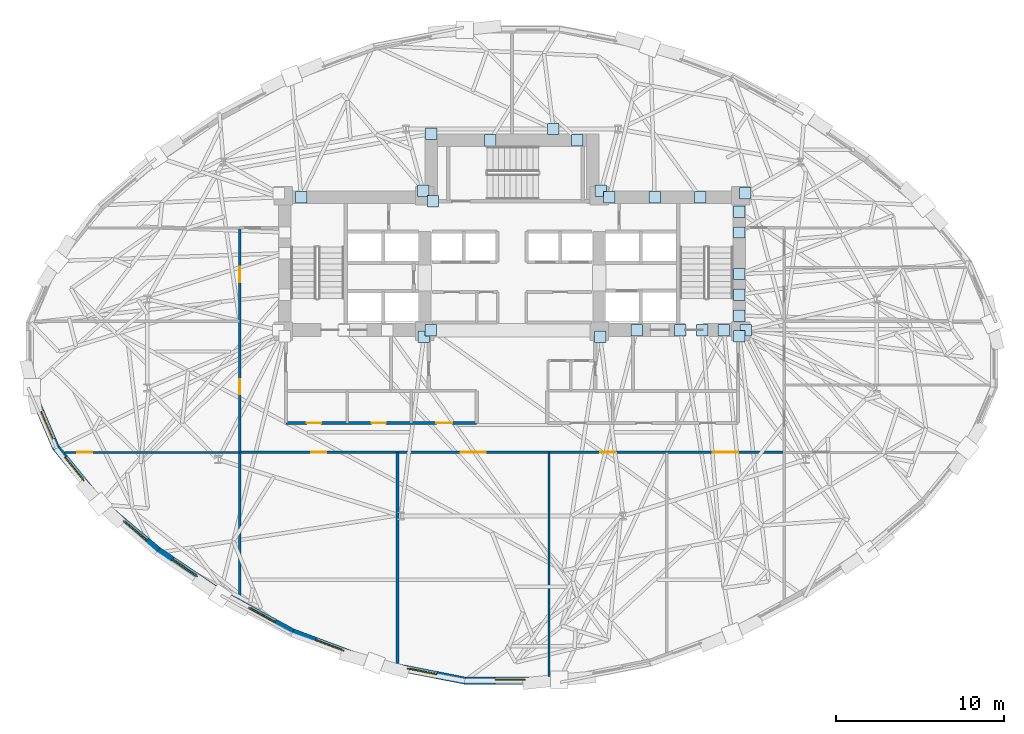
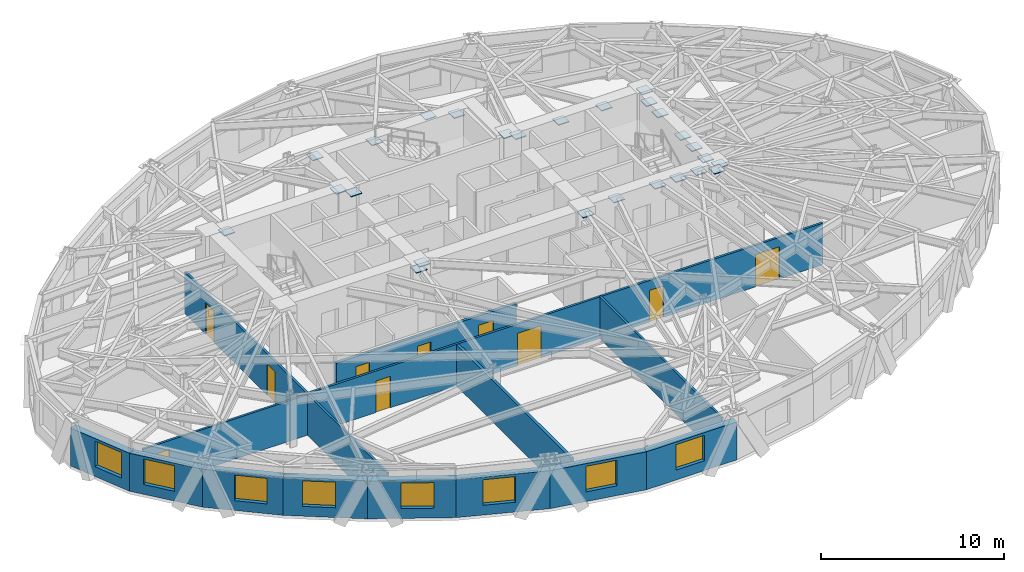
# One storey, part 6 of 14: 26 plates, 14 walls, 10 doors, 8 windows, 18 openings.
"""IFC4 building model written with IfcOpenShell, lengths in metres."""

from ifc_helpers import new_model, si_unit, direction, frame, frame_2d, origin, origin_2d, place, context, subcontext, project, spatial, rectangle, extrude, material, layer, layer_set, type_object, element, fill, save


model = new_model("IFC4")

# Units and contexts
model_context = context("Model", 3, precision=1e-05, world=origin(), true_north=direction((0.0, 1.0)))
body_context = subcontext(model_context, "Body", "Model", "MODEL_VIEW")
ifc_project = project(units=[si_unit("LENGTHUNIT", "METRE"), si_unit("AREAUNIT", "SQUARE_METRE"), si_unit("VOLUMEUNIT", "CUBIC_METRE"), si_unit("PLANEANGLEUNIT", "RADIAN"), si_unit("MASSUNIT", "GRAM", prefix="KILO")], contexts=[model_context])

# Site, building, storey
site_placement = place(None, origin())
site = spatial("IfcSite", under=ifc_project, at=site_placement, CompositionType="ELEMENT")
building_placement = place(site_placement, origin())
building = spatial("IfcBuilding", under=site, at=building_placement, Name="Keldmark Tower", CompositionType="ELEMENT")
storey_placement = place(building_placement, frame((0.0, 0.0, 89.60009765625)))
storey = spatial("IfcBuildingStorey", under=building, at=storey_placement, Name="L23", CompositionType="ELEMENT", Elevation=89.60009765625)

# Plates
ifc_material_1 = material(Name="Steel ASTM A572 Grade 50", Category="steel")
ifc_layer_1 = layer(ifc_material_1, 0.06005859375)
ifc_layer_set_1 = layer_set([ifc_layer_1], Name="Steel ASTM A572 Grade 50")
plate_type = type_object("IfcPlateType", Name="Belt Truss Kink Node Assembly KN01 60 mm", PredefinedType="USERDEFINED", material=ifc_layer_set_1)
for number, where, z_axis, x_axis, name in (
    (1, (13.91162109375, 1.473388671875, 3.0078125), (0.0, 0.0, 1.0), (1.0, 0.0, 0.0), "L23 Core Wall Cast-In Embed Plate 619"),
    (2, (13.878173828125, 9.608154296875, 3.0078125), (0.0, 0.0, 1.0), (1.0, 0.0, 0.0), "L23 Core Wall Cast-In Embed Plate 620"),
    (3, (5.28515625, 9.758544921875, 3.0078125), (0.0, 0.0, 1.0), (1.0, 0.0, 0.0), "L23 Core Wall Cast-In Embed Plate 621"),
    (4, (-5.28515625, 9.758544921875, 3.0078125), (0.0, 0.0, 1.0), (1.0, 0.0, 0.0), "L23 Core Wall Cast-In Embed Plate 622"),
    (5, (-5.24072265625, 1.08251953125, 3.0078125), (0.0, 0.0, 1.0), (1.0, 0.0, 0.0), "L23 Core Wall Cast-In Embed Plate 625"),
    (6, (5.24072265625, 1.08251953125, 3.0078125), (0.0, 0.0, 1.0), (1.0, 0.0, 0.0), "L23 Core Wall Cast-In Embed Plate 626"),
    (7, (-4.699951171875, 9.139892578125, 3.01416015625), (0.0, 0.0, 1.0), (1.0, 0.0, 0.0), "L23 Core Wall Cast-In Embed Plate 627"),
    (8, (-4.800048828125, 13.14990234375, 3.01416015625), (0.0, 0.0, 1.0), (1.0, 0.0, 0.0), "L23 Core Wall Cast-In Embed Plate 628"),
    (9, (13.52490234375, 4.80712890625, 3.01416015625), (0.0, 0.0, 1.0), (1.0, 0.0, 0.0), "L23 Core Wall Cast-In Embed Plate 629"),
    (10, (12.603515625, 1.47509765625, 3.01416015625), (0.0, 0.0, 1.0), (1.0, 0.0, 0.0), "L23 Core Wall Cast-In Embed Plate 631"),
    (11, (13.52490234375, 3.5712890625, 3.01416015625), (0.0, 0.0, 1.0), (1.0, 0.0, 0.0), "L23 Core Wall Cast-In Embed Plate 632"),
    (12, (13.52490234375, 7.278564453125, 3.01416015625), (0.0, 0.0, 1.0), (1.0, 0.0, 0.0), "L23 Core Wall Cast-In Embed Plate 633"),
    (13, (5.778564453125, 9.375, 3.01416015625), (0.0, 0.0, 1.0), (1.0, 0.0, 0.0), "L23 Core Wall Cast-In Embed Plate 634"),
    (14, (8.485595703125, 9.375, 3.01416015625), (0.0, 0.0, 1.0), (1.0, 0.0, 0.0), "L23 Core Wall Cast-In Embed Plate 635"),
    (15, (11.19287109375, 9.375, 3.01416015625), (0.0, 0.0, 1.0), (1.0, 0.0, 0.0), "L23 Core Wall Cast-In Embed Plate 636"),
    (16, (-12.54638671875, 9.375, 3.01416015625), (0.0, 0.0, 1.0), (1.0, 0.0, 0.0), "L23 Core Wall Cast-In Embed Plate 637"),
    (17, (7.41796875, 1.47509765625, 3.01416015625), (0.0, 0.0, 1.0), (1.0, 0.0, 0.0), "L23 Core Wall Cast-In Embed Plate 640"),
    (18, (11.30712890625, 1.47509765625, 3.01416015625), (0.0, 0.0, 1.0), (1.0, 0.0, 0.0), "L23 Core Wall Cast-In Embed Plate 642"),
    (19, (10.0107421875, 1.47509765625, 3.01416015625), (0.0, 0.0, 1.0), (1.0, 0.0, 0.0), "L23 Core Wall Cast-In Embed Plate 643"),
    (20, (13.52490234375, 1.10009765625, 3.01416015625), (0.0, 0.0, 1.0), (1.0, 0.0, 0.0), "L23 Core Wall Cast-In Embed Plate 644"),
    (21, (-4.824951171875, 1.47509765625, 3.01416015625), (0.0, 0.0, 1.0), (1.0, 0.0, 0.0), "L23 Core Wall Cast-In Embed Plate 645"),
    (22, (13.52490234375, 8.514404296875, 3.01416015625), (0.0, 0.0, 1.0), (1.0, 0.0, 0.0), "L23 Core Wall Cast-In Embed Plate 646"),
    (23, (13.52490234375, 2.335693359375, 3.01416015625), (0.0, 0.0, 1.0), (1.0, 0.0, 0.0), "L23 Core Wall Cast-In Embed Plate 647"),
    (24, (2.46337890625, 13.4326171875, 3.01416015625), (0.0, 0.0, 1.0), (1.0, 0.0, 0.0), "L23 Core Wall Cast-In Embed Plate 648"),
    (25, (-1.293701171875, 12.77490234375, 3.01416015625), (0.0, 0.0, 1.0), (1.0, 0.0, 0.0), "L23 Core Wall Cast-In Embed Plate 649"),
    (26, (3.88134765625, 12.77490234375, 3.01416015625), (0.0, 0.0, 1.0), (1.0, 0.0, 0.0), "L23 Core Wall Cast-In Embed Plate 650"),
):
    element("IfcPlate", number, at=place(storey_placement, frame(where, z_axis=z_axis, x_axis=x_axis)), inside=storey, type_object=plate_type, Name=name, ObjectType="CAP PLATE", PredefinedType="USERDEFINED", context=body_context, shape_type="SweptSolid", body=[
        extrude(rectangle(XDim=0.679931640625, YDim=0.679931640625, at=origin_2d()), origin(), (0.0, 0.0, 1.0), 0.054931640625),
    ])

# Wall, openings, doors
ifc_material_2 = material(Name="Acoustic Double-Layer Gypsum Corridor Partition", Category="gypsum")
ifc_layer_2 = layer(ifc_material_2, 0.139892578125)
ifc_layer_set_2 = layer_set([ifc_layer_2], Name="Acoustic Double-Layer Gypsum Corridor Partition")
wall_type_1 = type_object("IfcWallType", Name="Acoustic Corridor Partition 140 mm", PredefinedType="PARTITIONING", material=ifc_layer_set_2)
wall_1_placement = place(storey_placement, frame((-16.199951171875, -5.800048828125, 0.0), z_axis=(0.0, 0.0, 1.0), x_axis=(1.0, 0.0, 0.0)))
wall_1 = element("IfcWall", 27, at=wall_1_placement, inside=storey, type_object=wall_type_1, Name="L23 Acoustic Corridor Partition 140 mm COR-S", PredefinedType="PARTITIONING", context=body_context, shape_type="SweptSolid", body=[
    extrude(rectangle(XDim=32.39990234375, YDim=0.139892578125, at=frame_2d((16.199951171875, 0.0))), origin(), (0.0, 0.0, 1.0), 2.762939453125),
])
opening_1_placement = place(wall_1_placement, frame((4.25, 0.0, 0.0)))
opening_1 = element("IfcOpeningElement", 28, at=opening_1_placement, cuts=wall_1, Name="Opening D-IN090", PredefinedType="OPENING", context=body_context, shape_type="SweptSolid", body=[
    extrude(rectangle(XDim=0.89990234375, YDim=2.10009765625, at=frame_2d((0.449951171875, 1.050048828125))), frame((0.0, 0.079833984375, 0.0), z_axis=(0.0, -1.0, 0.0), x_axis=(1.0, 0.0, 0.0)), (0.0, 0.0, 1.0), 0.159912109375),
])
opening_2_placement = place(wall_1_placement, frame((13.14990234375, 0.0, 0.0)))
opening_2 = element("IfcOpeningElement", 29, at=opening_2_placement, cuts=wall_1, Name="Opening D-CF150", PredefinedType="OPENING", context=body_context, shape_type="SweptSolid", body=[
    extrude(rectangle(XDim=1.5, YDim=2.14990234375, at=frame_2d((0.75, 1.074951171875))), frame((0.0, 0.079833984375, 0.0), z_axis=(0.0, -1.0, 0.0), x_axis=(1.0, 0.0, 0.0)), (0.0, 0.0, 1.0), 0.159912109375),
])
opening_3_placement = place(wall_1_placement, frame((21.449951171875, 0.0, 0.0)))
opening_3 = element("IfcOpeningElement", 30, at=opening_3_placement, cuts=wall_1, Name="Opening D-IN090", PredefinedType="OPENING", context=body_context, shape_type="SweptSolid", body=[
    extrude(rectangle(XDim=0.89990234375, YDim=2.10009765625, at=frame_2d((0.449951171875, 1.050048828125))), frame((0.0, 0.079833984375, 0.0), z_axis=(0.0, -1.0, 0.0), x_axis=(1.0, 0.0, 0.0)), (0.0, 0.0, 1.0), 0.159912109375),
])
opening_4_placement = place(wall_1_placement, frame((28.14990234375, 0.0, 0.0)))
opening_4 = element("IfcOpeningElement", 31, at=opening_4_placement, cuts=wall_1, Name="Opening D-CF150", PredefinedType="OPENING", context=body_context, shape_type="SweptSolid", body=[
    extrude(rectangle(XDim=1.5, YDim=2.14990234375, at=frame_2d((0.75, 1.074951171875))), frame((0.0, 0.079833984375, 0.0), z_axis=(0.0, -1.0, 0.0), x_axis=(1.0, 0.0, 0.0)), (0.0, 0.0, 1.0), 0.159912109375),
])
ifc_material_3 = material(Name="Acoustic Timber and Tempered Glass Double Door", Category="wood")
door_type_1 = type_object("IfcDoorType", Name="Conference Double Door 1500x2150", OperationType="DOUBLE_DOOR_SINGLE_SWING", PredefinedType="DOOR", material=ifc_material_3)
door_1_placement = place(opening_2_placement, origin())
door_1 = element("IfcDoor", 32, at=door_1_placement, inside=storey, type_object=door_type_1, Name="L23 Conference Double Door 1500x2150 D-SR-2-L23", OperationType="DOUBLE_DOOR_SINGLE_SWING", OverallHeight=2.14990234375, OverallWidth=1.5, PredefinedType="DOOR", context=body_context, shape_type="SweptSolid", body=[
    extrude(rectangle(XDim=1.5, YDim=2.14990234375, at=frame_2d((0.75, 1.074951171875))), frame((0.0, 0.02490234375, 0.0), z_axis=(0.0, -1.0, 0.0), x_axis=(1.0, 0.0, 0.0)), (0.0, 0.0, 1.0), 0.050048828125),
])
fill(opening_2, door_1)
door_2_placement = place(opening_4_placement, origin())
door_2 = element("IfcDoor", 33, at=door_2_placement, inside=storey, type_object=door_type_1, Name="L23 Conference Double Door 1500x2150 D-SR-4-L23", OperationType="DOUBLE_DOOR_SINGLE_SWING", OverallHeight=2.14990234375, OverallWidth=1.5, PredefinedType="DOOR", context=body_context, shape_type="SweptSolid", body=[
    extrude(rectangle(XDim=1.5, YDim=2.14990234375, at=frame_2d((0.75, 1.074951171875))), frame((0.0, 0.02490234375, 0.0), z_axis=(0.0, -1.0, 0.0), x_axis=(1.0, 0.0, 0.0)), (0.0, 0.0, 1.0), 0.050048828125),
])
fill(opening_4, door_2)
ifc_material_4 = material(Name="Stained American White Oak Veneer", Category="wood")
door_type_2 = type_object("IfcDoorType", Name="Interior Door 900x2100", OperationType="NOTDEFINED", PredefinedType="DOOR", material=ifc_material_4)
door_3_placement = place(opening_1_placement, origin())
door_3 = element("IfcDoor", 34, at=door_3_placement, inside=storey, type_object=door_type_2, Name="L23 Interior Door 900x2100 D-SR-1-L23", OperationType="SINGLE_SWING_LEFT", OverallHeight=2.10009765625, OverallWidth=0.89990234375, PredefinedType="DOOR", context=body_context, shape_type="SweptSolid", body=[
    extrude(rectangle(XDim=0.89990234375, YDim=2.10009765625, at=frame_2d((0.449951171875, 1.050048828125))), frame((0.0, 0.02490234375, 0.0), z_axis=(0.0, -1.0, 0.0), x_axis=(1.0, 0.0, 0.0)), (0.0, 0.0, 1.0), 0.050048828125),
])
fill(opening_1, door_3)
door_4_placement = place(opening_3_placement, origin())
door_4 = element("IfcDoor", 35, at=door_4_placement, inside=storey, type_object=door_type_2, Name="L23 Interior Door 900x2100 D-SR-3-L23", OperationType="SINGLE_SWING_RIGHT", OverallHeight=2.10009765625, OverallWidth=0.89990234375, PredefinedType="DOOR", context=body_context, shape_type="SweptSolid", body=[
    extrude(rectangle(XDim=0.89990234375, YDim=2.10009765625, at=frame_2d((0.449951171875, 1.050048828125))), frame((0.0, 0.02490234375, 0.0), z_axis=(0.0, -1.0, 0.0), x_axis=(1.0, 0.0, 0.0)), (0.0, 0.0, 1.0), 0.050048828125),
])
fill(opening_3, door_4)

wall_2_placement = place(storey_placement, frame((-16.199951171875, -14.530029296875, 0.0), z_axis=(0.0, 0.0, 1.0), x_axis=(0.0, 1.0, 0.0)))
wall_2 = element("IfcWall", 36, at=wall_2_placement, inside=storey, type_object=wall_type_1, Name="L23 Acoustic Corridor Partition 140 mm COR-W", PredefinedType="PARTITIONING", context=body_context, shape_type="SweptSolid", body=[
    extrude(rectangle(XDim=22.080078125, YDim=0.139892578125, at=frame_2d((11.0400390625, 0.0))), origin(), (0.0, 0.0, 1.0), 2.7509765625),
])
opening_5_placement = place(wall_2_placement, frame((12.180419921875, 0.0, 0.0)))
opening_5 = element("IfcOpeningElement", 37, at=opening_5_placement, cuts=wall_2, Name="Opening D-IN090", PredefinedType="OPENING", context=body_context, shape_type="SweptSolid", body=[
    extrude(rectangle(XDim=0.89990234375, YDim=2.10009765625, at=frame_2d((0.449951171875, 1.050048828125))), frame((0.0, 0.079833984375, 0.0), z_axis=(0.0, -1.0, 0.0), x_axis=(1.0, 0.0, 0.0)), (0.0, 0.0, 1.0), 0.159912109375),
])
opening_6_placement = place(wall_2_placement, frame((18.85546875, 0.0, 0.0)))
opening_6 = element("IfcOpeningElement", 38, at=opening_6_placement, cuts=wall_2, Name="Opening D-IN090", PredefinedType="OPENING", context=body_context, shape_type="SweptSolid", body=[
    extrude(rectangle(XDim=0.89990234375, YDim=2.10009765625, at=frame_2d((0.449951171875, 1.050048828125))), frame((0.0, 0.079833984375, 0.0), z_axis=(0.0, -1.0, 0.0), x_axis=(1.0, 0.0, 0.0)), (0.0, 0.0, 1.0), 0.159912109375),
])
door_5_placement = place(opening_5_placement, origin())
door_5 = element("IfcDoor", 39, at=door_5_placement, inside=storey, type_object=door_type_2, Name="L23 Interior Door 900x2100 D-WR-1-L23", OperationType="SINGLE_SWING_RIGHT", OverallHeight=2.10009765625, OverallWidth=0.89990234375, PredefinedType="DOOR", context=body_context, shape_type="SweptSolid", body=[
    extrude(rectangle(XDim=0.89990234375, YDim=2.10009765625, at=frame_2d((0.449951171875, 1.050048828125))), frame((0.0, 0.02490234375, 0.0), z_axis=(0.0, -1.0, 0.0), x_axis=(1.0, 0.0, 0.0)), (0.0, 0.0, 1.0), 0.050048828125),
])
fill(opening_5, door_5)
door_6_placement = place(opening_6_placement, origin())
door_6 = element("IfcDoor", 40, at=door_6_placement, inside=storey, type_object=door_type_2, Name="L23 Interior Door 900x2100 D-WR-2-L23", OperationType="SINGLE_SWING_RIGHT", OverallHeight=2.10009765625, OverallWidth=0.89990234375, PredefinedType="DOOR", context=body_context, shape_type="SweptSolid", body=[
    extrude(rectangle(XDim=0.89990234375, YDim=2.10009765625, at=frame_2d((0.449951171875, 1.050048828125))), frame((0.0, 0.02490234375, 0.0), z_axis=(0.0, -1.0, 0.0), x_axis=(1.0, 0.0, 0.0)), (0.0, 0.0, 1.0), 0.050048828125),
])
fill(opening_6, door_6)

# Wall
ifc_material_5 = material(Name="STC-58 Insulated Tenant Demising Gypsum Partition", Category="gypsum")
ifc_layer_3 = layer(ifc_material_5, 0.175048828125)
ifc_layer_set_3 = layer_set([ifc_layer_3], Name="STC-58 Insulated Tenant Demising Gypsum Partition")
wall_type_2 = type_object("IfcWallType", Name="Demising Suite Partition 175 mm", PredefinedType="PARTITIONING", material=ifc_layer_set_3)
wall_3_placement = place(storey_placement, frame((-6.800048828125, -18.361328125, 0.0), z_axis=(0.0, 0.0, 1.0), x_axis=(0.0, 1.0, 0.0)))
element("IfcWall", 41, at=wall_3_placement, inside=storey, type_object=wall_type_2, Name="L23 Demising Suite Partition 175 mm S-DIV-1", PredefinedType="PARTITIONING", context=body_context, shape_type="SweptSolid", body=[
    extrude(rectangle(XDim=12.561279296875, YDim=0.175048828125, at=frame_2d((6.28076171875, 0.0))), origin(), (0.0, 0.0, 1.0), 2.7509765625),
])

# Wall, openings, doors
ifc_material_6 = material(Name="Heavy Acoustic Plumbing Chase Gypsum Assembly", Category="gypsum")
ifc_layer_4 = layer(ifc_material_6, 0.18994140625)
ifc_layer_set_4 = layer_set([ifc_layer_4], Name="Heavy Acoustic Plumbing Chase Gypsum Assembly")
wall_type_3 = type_object("IfcWallType", Name="Heavy Wet Wall 190 mm", PredefinedType="PLUMBINGWALL", material=ifc_layer_set_4)
wall_4_placement = place(storey_placement, frame((-13.449951171875, -4.050048828125, 0.0), z_axis=(0.0, 0.0, 1.0), x_axis=(1.0, 0.0, 0.0)))
wall_4 = element("IfcWall", 42, at=wall_4_placement, inside=storey, type_object=wall_type_3, Name="L23 Heavy Wet Wall 190 mm SPK-W-S", PredefinedType="PLUMBINGWALL", context=body_context, shape_type="SweptSolid", body=[
    extrude(rectangle(XDim=11.349853515625, YDim=0.18994140625, at=frame_2d((5.6748046875, 0.0))), origin(), (0.0, 0.0, 1.0), 2.762939453125),
])
opening_7_placement = place(wall_4_placement, frame((1.25, 0.0, 0.0)))
opening_7 = element("IfcOpeningElement", 43, at=opening_7_placement, cuts=wall_4, Name="Opening D-WC085", PredefinedType="OPENING", context=body_context, shape_type="SweptSolid", body=[
    extrude(rectangle(XDim=0.85009765625, YDim=2.10009765625, at=frame_2d((0.425048828125, 1.050048828125))), frame((0.0, 0.10498046875, 0.0), z_axis=(0.0, -1.0, 0.0), x_axis=(1.0, 0.0, 0.0)), (0.0, 0.0, 1.0), 0.2099609375),
])
opening_8_placement = place(wall_4_placement, frame((5.10009765625, 0.0, 0.0)))
opening_8 = element("IfcOpeningElement", 44, at=opening_8_placement, cuts=wall_4, Name="Opening D-WC085", PredefinedType="OPENING", context=body_context, shape_type="SweptSolid", body=[
    extrude(rectangle(XDim=0.85009765625, YDim=2.10009765625, at=frame_2d((0.425048828125, 1.050048828125))), frame((0.0, 0.10498046875, 0.0), z_axis=(0.0, -1.0, 0.0), x_axis=(1.0, 0.0, 0.0)), (0.0, 0.0, 1.0), 0.2099609375),
])
opening_9_placement = place(wall_4_placement, frame((8.949951171875, 0.0, 0.0)))
opening_9 = element("IfcOpeningElement", 45, at=opening_9_placement, cuts=wall_4, Name="Opening D-AWC95", PredefinedType="OPENING", context=body_context, shape_type="SweptSolid", body=[
    extrude(rectangle(XDim=0.949951171875, YDim=2.14990234375, at=frame_2d((0.47509765625, 1.074951171875))), frame((0.0, 0.10498046875, 0.0), z_axis=(0.0, -1.0, 0.0), x_axis=(1.0, 0.0, 0.0)), (0.0, 0.0, 1.0), 0.2099609375),
])
ifc_material_7 = material(Name="Painted Solid-Core Architectural Wood", Category="wood")
door_type_3 = type_object("IfcDoorType", Name="Accessible WC Door 950x2150", OperationType="NOTDEFINED", PredefinedType="DOOR", material=ifc_material_7)
door_7_placement = place(opening_9_placement, origin())
door_7 = element("IfcDoor", 46, at=door_7_placement, inside=storey, type_object=door_type_3, Name="L23 Accessible WC Door 950x2150 D-SPKW3-L23", OperationType="SINGLE_SWING_LEFT", OverallHeight=2.14990234375, OverallWidth=0.949951171875, PredefinedType="DOOR", context=body_context, shape_type="SweptSolid", body=[
    extrude(rectangle(XDim=0.949951171875, YDim=2.14990234375, at=frame_2d((0.47509765625, 1.074951171875))), frame((0.0, 0.02490234375, 0.0), z_axis=(0.0, -1.0, 0.0), x_axis=(1.0, 0.0, 0.0)), (0.0, 0.0, 1.0), 0.050048828125),
])
fill(opening_9, door_7)
ifc_material_8 = material(Name="Moisture-Sealed Painted Wood", Category="wood")
door_type_4 = type_object("IfcDoorType", Name="WC Door 850x2100", OperationType="NOTDEFINED", PredefinedType="DOOR", material=ifc_material_8)
door_8_placement = place(opening_7_placement, origin())
door_8 = element("IfcDoor", 47, at=door_8_placement, inside=storey, type_object=door_type_4, Name="L23 WC Door 850x2100 D-SPKW1-L23", OperationType="SINGLE_SWING_LEFT", OverallHeight=2.10009765625, OverallWidth=0.85009765625, PredefinedType="DOOR", context=body_context, shape_type="SweptSolid", body=[
    extrude(rectangle(XDim=0.85009765625, YDim=2.10009765625, at=frame_2d((0.425048828125, 1.050048828125))), frame((0.0, 0.02490234375, 0.0), z_axis=(0.0, -1.0, 0.0), x_axis=(1.0, 0.0, 0.0)), (0.0, 0.0, 1.0), 0.050048828125),
])
fill(opening_7, door_8)
door_9_placement = place(opening_8_placement, origin())
door_9 = element("IfcDoor", 48, at=door_9_placement, inside=storey, type_object=door_type_4, Name="L23 WC Door 850x2100 D-SPKW2-L23", OperationType="SINGLE_SWING_RIGHT", OverallHeight=2.10009765625, OverallWidth=0.85009765625, PredefinedType="DOOR", context=body_context, shape_type="SweptSolid", body=[
    extrude(rectangle(XDim=0.85009765625, YDim=2.10009765625, at=frame_2d((0.425048828125, 1.050048828125))), frame((0.0, 0.02490234375, 0.0), z_axis=(0.0, -1.0, 0.0), x_axis=(1.0, 0.0, 0.0)), (0.0, 0.0, 1.0), 0.050048828125),
])
fill(opening_8, door_9)

# Wall
ifc_material_9 = material(Name="Acoustic Gypsum Board Interior Partition", Category="gypsum")
ifc_layer_5 = layer(ifc_material_9, 0.1298828125)
ifc_layer_set_5 = layer_set([ifc_layer_5], Name="Acoustic Gypsum Board Interior Partition")
wall_type_4 = type_object("IfcWallType", Name="Interior Partition 130 mm", PredefinedType="PARTITIONING", material=ifc_layer_set_5)
wall_5_placement = place(storey_placement, frame((2.199951171875, -19.14794921875, 0.0), z_axis=(0.0, 0.0, 1.0), x_axis=(0.0, 1.0, 0.0)))
element("IfcWall", 49, at=wall_5_placement, inside=storey, type_object=wall_type_4, Name="L23 Interior Partition 130 mm S-DIV-2", PredefinedType="PARTITIONING", context=body_context, shape_type="SweptSolid", body=[
    extrude(rectangle(XDim=13.347900390625, YDim=0.1298828125, at=frame_2d((6.673828125, 0.0))), origin(), (0.0, 0.0, 1.0), 2.762939453125),
])

# Wall, opening, door
wall_6_placement = place(storey_placement, frame((-26.604248046875, -5.800048828125, 0.0), z_axis=(0.0, 0.0, 1.0), x_axis=(1.0, 0.0, 0.0)))
wall_6 = element("IfcWall", 50, at=wall_6_placement, inside=storey, type_object=wall_type_4, Name="L23 Interior Partition 130 mm W-CAP-S", PredefinedType="PARTITIONING", context=body_context, shape_type="SweptSolid", body=[
    extrude(rectangle(XDim=10.404296875, YDim=0.1298828125, at=frame_2d((5.2021484375, 0.0))), origin(), (0.0, 0.0, 1.0), 2.68798828125),
])
opening_10_placement = place(wall_6_placement, frame((0.75, 0.0, 0.0)))
opening_10 = element("IfcOpeningElement", 51, at=opening_10_placement, cuts=wall_6, Name="Opening D-IN090", PredefinedType="OPENING", context=body_context, shape_type="SweptSolid", body=[
    extrude(rectangle(XDim=0.89990234375, YDim=2.10009765625, at=frame_2d((0.449951171875, 1.050048828125))), frame((0.0, 0.074951171875, 0.0), z_axis=(0.0, -1.0, 0.0), x_axis=(1.0, 0.0, 0.0)), (0.0, 0.0, 1.0), 0.14990234375),
])
door_10_placement = place(opening_10_placement, origin())
door_10 = element("IfcDoor", 52, at=door_10_placement, inside=storey, type_object=door_type_2, Name="L23 Interior Door 900x2100 D-WRSW-L23", OperationType="SINGLE_SWING_LEFT", OverallHeight=2.10009765625, OverallWidth=0.89990234375, PredefinedType="DOOR", context=body_context, shape_type="SweptSolid", body=[
    extrude(rectangle(XDim=0.89990234375, YDim=2.10009765625, at=frame_2d((0.449951171875, 1.050048828125))), frame((0.0, 0.02490234375, 0.0), z_axis=(0.0, -1.0, 0.0), x_axis=(1.0, 0.0, 0.0)), (0.0, 0.0, 1.0), 0.050048828125),
])
fill(opening_10, door_10)

# Wall, opening, window
ifc_material_10 = material(Name="Ironspot Manganese Brick and Kasota Buff Limestone Spandrel Assembly", Category="masonry")
ifc_layer_6 = layer(ifc_material_10, 0.43994140625)
ifc_layer_set_6 = layer_set([ifc_layer_6], Name="Ironspot Manganese Brick and Kasota Buff Limestone Spandrel Assembly")
wall_type_5 = type_object("IfcWallType", Name="Tower Brick Pier and Spandrel Wall 440 mm", PredefinedType="STANDARD", material=ifc_layer_set_6)
wall_7_placement = place(storey_placement, frame((-27.127197265625, -5.53271484375, 0.0), z_axis=(0.0, 0.0, 1.0), x_axis=(-0.393757776232, 0.919214237083, 0.0)))
wall_7 = element("IfcWall", 53, at=wall_7_placement, inside=storey, type_object=wall_type_5, Name="L23 Exterior Brick and Spandrel Wall 17", PredefinedType="STANDARD", context=body_context, shape_type="SweptSolid", body=[
    extrude(rectangle(XDim=4.013427734375, YDim=0.43994140625, at=frame_2d((2.0068359375, 0.0))), origin(), (0.0, 0.0, 1.0), 2.52783203125),
])
opening_11_placement = place(wall_7_placement, frame((0.543212890625, 0.0, 0.64990234375)))
opening_11 = element("IfcOpeningElement", 54, at=opening_11_placement, cuts=wall_7, Name="Opening W-02", PredefinedType="OPENING", context=body_context, shape_type="SweptSolid", body=[
    extrude(rectangle(XDim=1.800048828125, YDim=1.699951171875, at=frame_2d((0.89990234375, 0.85009765625))), frame((0.0, 0.22998046875, 0.0), z_axis=(0.0, -1.0, 0.0), x_axis=(1.0, 0.0, 0.0)), (0.0, 0.0, 1.0), 0.4599609375),
])
ifc_material_11 = material(Name="Thermally Broken Anodized Aluminum and Triple Low-E Argon Glazing", Category="aluminium")
window_type = type_object("IfcWindowType", Name="Office Deep-Set Triple Window 1800x1700", PartitioningType="TRIPLE_PANEL_VERTICAL", PredefinedType="WINDOW", material=ifc_material_11)
window_1_placement = place(opening_11_placement, origin())
window_1 = element("IfcWindow", 55, at=window_1_placement, inside=storey, type_object=window_type, Name="L23 Deep-Set Window 17", OverallHeight=1.699951171875, OverallWidth=1.800048828125, PartitioningType="SINGLE_PANEL", PredefinedType="WINDOW", context=body_context, shape_type="SweptSolid", body=[
    extrude(rectangle(XDim=1.800048828125, YDim=1.699951171875, at=frame_2d((0.89990234375, 0.85009765625))), frame((0.0, -0.010009765625, 0.0), z_axis=(0.0, -1.0, 0.0), x_axis=(1.0, 0.0, 0.0)), (0.0, 0.0, 1.0), 0.06005859375),
])
fill(opening_11, window_1)

wall_8_placement = place(storey_placement, frame((-24.46435546875, -8.78662109375, 0.0), z_axis=(0.0, 0.0, 1.0), x_axis=(-0.631768505266, 0.775157116818, 0.0)))
wall_8 = element("IfcWall", 56, at=wall_8_placement, inside=storey, type_object=wall_type_5, Name="L23 Exterior Brick and Spandrel Wall 18", PredefinedType="STANDARD", context=body_context, shape_type="SweptSolid", body=[
    extrude(rectangle(XDim=4.26513671875, YDim=0.43994140625, at=frame_2d((2.132568359375, 0.0))), origin(), (0.0, 0.0, 1.0), 2.52783203125),
])
opening_12_placement = place(wall_8_placement, frame((1.6259765625, 0.0, 0.64990234375)))
opening_12 = element("IfcOpeningElement", 57, at=opening_12_placement, cuts=wall_8, Name="Opening W-02", PredefinedType="OPENING", context=body_context, shape_type="SweptSolid", body=[
    extrude(rectangle(XDim=1.800048828125, YDim=1.699951171875, at=frame_2d((0.89990234375, 0.85009765625))), frame((0.0, 0.22998046875, 0.0), z_axis=(0.0, -1.0, 0.0), x_axis=(1.0, 0.0, 0.0)), (0.0, 0.0, 1.0), 0.4599609375),
])
window_2_placement = place(opening_12_placement, origin())
window_2 = element("IfcWindow", 58, at=window_2_placement, inside=storey, type_object=window_type, Name="L23 Deep-Set Window 18", OverallHeight=1.699951171875, OverallWidth=1.800048828125, PartitioningType="SINGLE_PANEL", PredefinedType="WINDOW", context=body_context, shape_type="SweptSolid", body=[
    extrude(rectangle(XDim=1.800048828125, YDim=1.699951171875, at=frame_2d((0.89990234375, 0.85009765625))), frame((0.0, -0.010009765625, 0.0), z_axis=(0.0, -1.0, 0.0), x_axis=(1.0, 0.0, 0.0)), (0.0, 0.0, 1.0), 0.06005859375),
])
fill(opening_12, window_2)

wall_9_placement = place(storey_placement, frame((-21.072021484375, -11.63232421875, 0.0), z_axis=(0.0, 0.0, 1.0), x_axis=(-0.765563867956, 0.643359902449, 0.0)))
wall_9 = element("IfcWall", 59, at=wall_9_placement, inside=storey, type_object=wall_type_5, Name="L23 Exterior Brick and Spandrel Wall 19", PredefinedType="STANDARD", context=body_context, shape_type="SweptSolid", body=[
    extrude(rectangle(XDim=4.468994140625, YDim=0.43994140625, at=frame_2d((2.234375, 0.0))), origin(), (0.0, 0.0, 1.0), 2.52783203125),
])
opening_13_placement = place(wall_9_placement, frame((0.890625, 0.0, 0.64990234375)))
opening_13 = element("IfcOpeningElement", 60, at=opening_13_placement, cuts=wall_9, Name="Opening W-02", PredefinedType="OPENING", context=body_context, shape_type="SweptSolid", body=[
    extrude(rectangle(XDim=1.800048828125, YDim=1.699951171875, at=frame_2d((0.89990234375, 0.85009765625))), frame((0.0, 0.22998046875, 0.0), z_axis=(0.0, -1.0, 0.0), x_axis=(1.0, 0.0, 0.0)), (0.0, 0.0, 1.0), 0.4599609375),
])
window_3_placement = place(opening_13_placement, origin())
window_3 = element("IfcWindow", 61, at=window_3_placement, inside=storey, type_object=window_type, Name="L23 Deep-Set Window 19", OverallHeight=1.699951171875, OverallWidth=1.800048828125, PartitioningType="SINGLE_PANEL", PredefinedType="WINDOW", context=body_context, shape_type="SweptSolid", body=[
    extrude(rectangle(XDim=1.800048828125, YDim=1.699951171875, at=frame_2d((0.89990234375, 0.85009765625))), frame((0.0, -0.010009765625, 0.0), z_axis=(0.0, -1.0, 0.0), x_axis=(1.0, 0.0, 0.0)), (0.0, 0.0, 1.0), 0.06005859375),
])
fill(opening_13, window_3)

wall_10_placement = place(storey_placement, frame((-17.2861328125, -14.197265625, 0.0), z_axis=(0.0, 0.0, 1.0), x_axis=(-0.827742791179, 0.561107718403, 0.0)))
wall_10 = element("IfcWall", 62, at=wall_10_placement, inside=storey, type_object=wall_type_5, Name="L23 Exterior Brick and Spandrel Wall 20", PredefinedType="STANDARD", context=body_context, shape_type="SweptSolid", body=[
    extrude(rectangle(XDim=4.595458984375, YDim=0.43994140625, at=frame_2d((2.2978515625, 0.0))), origin(), (0.0, 0.0, 1.0), 2.52783203125),
])
opening_14_placement = place(wall_10_placement, frame((1.7470703125, 0.0, 0.64990234375)))
opening_14 = element("IfcOpeningElement", 63, at=opening_14_placement, cuts=wall_10, Name="Opening W-02", PredefinedType="OPENING", context=body_context, shape_type="SweptSolid", body=[
    extrude(rectangle(XDim=1.800048828125, YDim=1.699951171875, at=frame_2d((0.89990234375, 0.85009765625))), frame((0.0, 0.22998046875, 0.0), z_axis=(0.0, -1.0, 0.0), x_axis=(1.0, 0.0, 0.0)), (0.0, 0.0, 1.0), 0.4599609375),
])
window_4_placement = place(opening_14_placement, origin())
window_4 = element("IfcWindow", 64, at=window_4_placement, inside=storey, type_object=window_type, Name="L23 Deep-Set Window 20", OverallHeight=1.699951171875, OverallWidth=1.800048828125, PartitioningType="SINGLE_PANEL", PredefinedType="WINDOW", context=body_context, shape_type="SweptSolid", body=[
    extrude(rectangle(XDim=1.800048828125, YDim=1.699951171875, at=frame_2d((0.89990234375, 0.85009765625))), frame((0.0, -0.010009765625, 0.0), z_axis=(0.0, -1.0, 0.0), x_axis=(1.0, 0.0, 0.0)), (0.0, 0.0, 1.0), 0.06005859375),
])
fill(opening_14, window_4)

wall_11_placement = place(storey_placement, frame((-13.06201171875, -16.50537109375, 0.0), z_axis=(0.0, 0.0, 1.0), x_axis=(-0.877445532469, 0.479676284123, 0.0)))
wall_11 = element("IfcWall", 65, at=wall_11_placement, inside=storey, type_object=wall_type_5, Name="L23 Exterior Brick and Spandrel Wall 21", PredefinedType="STANDARD", context=body_context, shape_type="SweptSolid", body=[
    extrude(rectangle(XDim=4.834716796875, YDim=0.43994140625, at=frame_2d((2.41748046875, 0.0))), origin(), (0.0, 0.0, 1.0), 2.52783203125),
])
opening_15_placement = place(wall_11_placement, frame((1.194091796875, 0.0, 0.64990234375)))
opening_15 = element("IfcOpeningElement", 66, at=opening_15_placement, cuts=wall_11, Name="Opening W-02", PredefinedType="OPENING", context=body_context, shape_type="SweptSolid", body=[
    extrude(rectangle(XDim=1.800048828125, YDim=1.699951171875, at=frame_2d((0.89990234375, 0.85009765625))), frame((0.0, 0.22998046875, 0.0), z_axis=(0.0, -1.0, 0.0), x_axis=(1.0, 0.0, 0.0)), (0.0, 0.0, 1.0), 0.4599609375),
])
window_5_placement = place(opening_15_placement, origin())
window_5 = element("IfcWindow", 67, at=window_5_placement, inside=storey, type_object=window_type, Name="L23 Deep-Set Window 21", OverallHeight=1.699951171875, OverallWidth=1.800048828125, PartitioningType="SINGLE_PANEL", PredefinedType="WINDOW", context=body_context, shape_type="SweptSolid", body=[
    extrude(rectangle(XDim=1.800048828125, YDim=1.699951171875, at=frame_2d((0.89990234375, 0.85009765625))), frame((0.0, -0.010009765625, 0.0), z_axis=(0.0, -1.0, 0.0), x_axis=(1.0, 0.0, 0.0)), (0.0, 0.0, 1.0), 0.06005859375),
])
fill(opening_15, window_5)

wall_12_placement = place(storey_placement, frame((-8.213134765625, -18.31884765625, 0.0), z_axis=(0.0, 0.0, 1.0), x_axis=(-0.936473584013, 0.350738116613, 0.0)))
wall_12 = element("IfcWall", 68, at=wall_12_placement, inside=storey, type_object=wall_type_5, Name="L23 Exterior Brick and Spandrel Wall 22", PredefinedType="STANDARD", context=body_context, shape_type="SweptSolid", body=[
    extrude(rectangle(XDim=5.2080078125, YDim=0.43994140625, at=frame_2d((2.60400390625, 0.0))), origin(), (0.0, 0.0, 1.0), 2.52783203125),
])
opening_16_placement = place(wall_12_placement, frame((1.926025390625, 0.0, 0.64990234375)))
opening_16 = element("IfcOpeningElement", 69, at=opening_16_placement, cuts=wall_12, Name="Opening W-02", PredefinedType="OPENING", context=body_context, shape_type="SweptSolid", body=[
    extrude(rectangle(XDim=1.800048828125, YDim=1.699951171875, at=frame_2d((0.89990234375, 0.85009765625))), frame((0.0, 0.22998046875, 0.0), z_axis=(0.0, -1.0, 0.0), x_axis=(1.0, 0.0, 0.0)), (0.0, 0.0, 1.0), 0.4599609375),
])
window_6_placement = place(opening_16_placement, origin())
window_6 = element("IfcWindow", 70, at=window_6_placement, inside=storey, type_object=window_type, Name="L23 Deep-Set Window 22", OverallHeight=1.699951171875, OverallWidth=1.800048828125, PartitioningType="SINGLE_PANEL", PredefinedType="WINDOW", context=body_context, shape_type="SweptSolid", body=[
    extrude(rectangle(XDim=1.800048828125, YDim=1.699951171875, at=frame_2d((0.89990234375, 0.85009765625))), frame((0.0, -0.010009765625, 0.0), z_axis=(0.0, -1.0, 0.0), x_axis=(1.0, 0.0, 0.0)), (0.0, 0.0, 1.0), 0.06005859375),
])
fill(opening_16, window_6)

wall_13_placement = place(storey_placement, frame((-2.8046875, -19.3798828125, 0.0), z_axis=(0.0, 0.0, 1.0), x_axis=(-0.981185300561, 0.19306839711, 0.0)))
wall_13 = element("IfcWall", 71, at=wall_13_placement, inside=storey, type_object=wall_type_5, Name="L23 Exterior Brick and Spandrel Wall 23", PredefinedType="STANDARD", context=body_context, shape_type="SweptSolid", body=[
    extrude(rectangle(XDim=5.547607421875, YDim=0.43994140625, at=frame_2d((2.77392578125, 0.0))), origin(), (0.0, 0.0, 1.0), 2.52783203125),
])
opening_17_placement = place(wall_13_placement, frame((1.69873046875, 0.0, 0.64990234375)))
opening_17 = element("IfcOpeningElement", 72, at=opening_17_placement, cuts=wall_13, Name="Opening W-02", PredefinedType="OPENING", context=body_context, shape_type="SweptSolid", body=[
    extrude(rectangle(XDim=1.800048828125, YDim=1.699951171875, at=frame_2d((0.89990234375, 0.85009765625))), frame((0.0, 0.22998046875, 0.0), z_axis=(0.0, -1.0, 0.0), x_axis=(1.0, 0.0, 0.0)), (0.0, 0.0, 1.0), 0.4599609375),
])
window_7_placement = place(opening_17_placement, origin())
window_7 = element("IfcWindow", 73, at=window_7_placement, inside=storey, type_object=window_type, Name="L23 Deep-Set Window 23", OverallHeight=1.699951171875, OverallWidth=1.800048828125, PartitioningType="SINGLE_PANEL", PredefinedType="WINDOW", context=body_context, shape_type="SweptSolid", body=[
    extrude(rectangle(XDim=1.800048828125, YDim=1.699951171875, at=frame_2d((0.89990234375, 0.85009765625))), frame((0.0, -0.010009765625, 0.0), z_axis=(0.0, -1.0, 0.0), x_axis=(1.0, 0.0, 0.0)), (0.0, 0.0, 1.0), 0.06005859375),
])
fill(opening_17, window_7)

wall_14_placement = place(storey_placement, frame((2.847412109375, -19.3759765625, 0.0), z_axis=(0.0, 0.0, 1.0), x_axis=(-1.0, 0.0, 0.0)))
wall_14 = element("IfcWall", 74, at=wall_14_placement, inside=storey, type_object=wall_type_5, Name="L23 Exterior Brick and Spandrel Wall 24", PredefinedType="STANDARD", context=body_context, shape_type="SweptSolid", body=[
    extrude(rectangle(XDim=5.69482421875, YDim=0.43994140625, at=frame_2d((2.847412109375, 0.0))), origin(), (0.0, 0.0, 1.0), 2.52783203125),
])
opening_18_placement = place(wall_14_placement, frame((2.047119140625, 0.0, 0.64990234375)))
opening_18 = element("IfcOpeningElement", 75, at=opening_18_placement, cuts=wall_14, Name="Opening W-02", PredefinedType="OPENING", context=body_context, shape_type="SweptSolid", body=[
    extrude(rectangle(XDim=1.800048828125, YDim=1.699951171875, at=frame_2d((0.89990234375, 0.85009765625))), frame((0.0, 0.22998046875, 0.0), z_axis=(0.0, -1.0, 0.0), x_axis=(1.0, 0.0, 0.0)), (0.0, 0.0, 1.0), 0.4599609375),
])
window_8_placement = place(opening_18_placement, origin())
window_8 = element("IfcWindow", 76, at=window_8_placement, inside=storey, type_object=window_type, Name="L23 Deep-Set Window 24", OverallHeight=1.699951171875, OverallWidth=1.800048828125, PartitioningType="SINGLE_PANEL", PredefinedType="WINDOW", context=body_context, shape_type="SweptSolid", body=[
    extrude(rectangle(XDim=1.800048828125, YDim=1.699951171875, at=frame_2d((0.89990234375, 0.85009765625))), frame((0.0, -0.010009765625, 0.0), z_axis=(0.0, -1.0, 0.0), x_axis=(1.0, 0.0, 0.0)), (0.0, 0.0, 1.0), 0.06005859375),
])
fill(opening_18, window_8)

save(model, "model.ifc")
